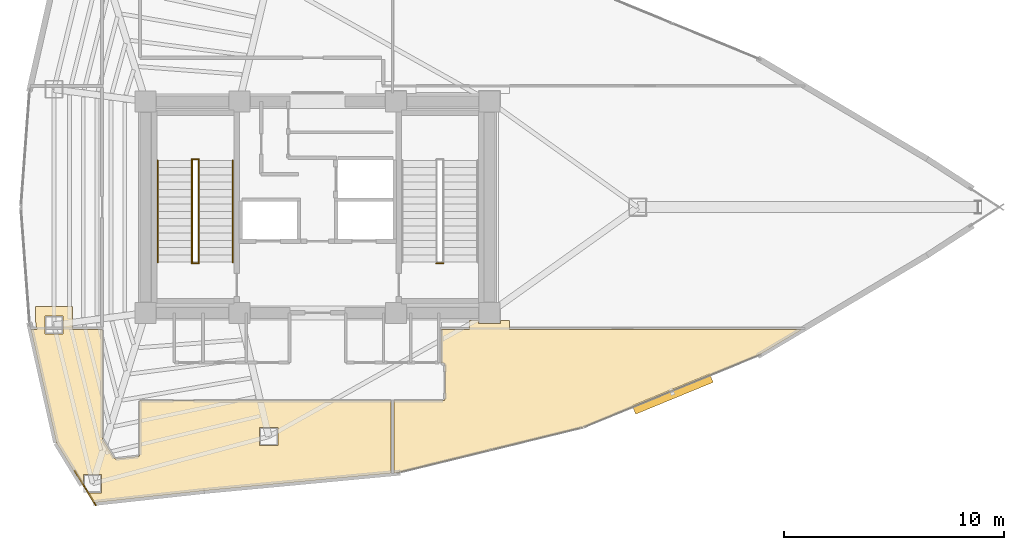
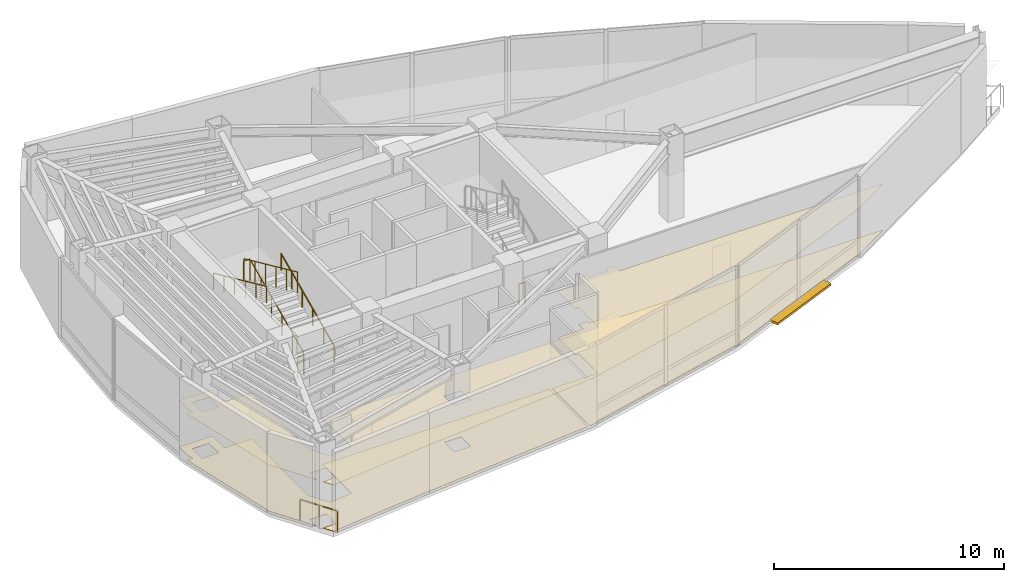
# One storey, part 16 of 17: 8 railings, 4 coverings, 1 shading device.
"""IFC4 building model written with IfcOpenShell, lengths in metres."""

from ifc_helpers import new_model, si_unit, direction, frame, origin, origin_2d, place, context, subcontext, project, spatial, polyline, rectangle, circle, outline, extrude, material, layer, layer_set, type_object, element, save


model = new_model("IFC4")

# Units and contexts
model_context = context("Model", 3, precision=1e-05, world=origin(), true_north=direction((0.0, 1.0)))
body_context = subcontext(model_context, "Body", "Model", "MODEL_VIEW")
ifc_project = project(units=[si_unit("LENGTHUNIT", "METRE"), si_unit("AREAUNIT", "SQUARE_METRE"), si_unit("VOLUMEUNIT", "CUBIC_METRE"), si_unit("PLANEANGLEUNIT", "RADIAN"), si_unit("MASSUNIT", "GRAM", prefix="KILO")], contexts=[model_context])

# Site, building, storey
site_placement = place(None, origin())
site = spatial("IfcSite", under=ifc_project, at=site_placement, CompositionType="ELEMENT")
building_placement = place(site_placement, origin())
building = spatial("IfcBuilding", under=site, at=building_placement, Name="Menara Vayukalpa", CompositionType="ELEMENT")
storey_placement = place(building_placement, frame((0.0, 0.0, 242.639892578125)))
storey = spatial("IfcBuildingStorey", under=building, at=storey_placement, Name="L61", CompositionType="ELEMENT", Elevation=242.639892578125)

# Coverings
ifc_material_1 = material(Name="Mineral Fibre Acoustic Ceiling Tile", Category="masonry")
ifc_layer_1 = layer(ifc_material_1, 0.02490234375)
ifc_layer_set_1 = layer_set([ifc_layer_1], Name="Mineral Fibre Acoustic Ceiling Tile")
covering_type_1 = type_object("IfcCoveringType", Name="COV-CLG1", PredefinedType="CEILING", material=ifc_layer_set_1)
covering_1_placement = place(storey_placement, frame((0.0, 0.0, 2.4501953125)))
element("IfcCovering", 1, at=covering_1_placement, inside=storey, type_object=covering_type_1, Name="L61 Skyline Exhibition Hall North Acoustic Ceiling", PredefinedType="CEILING", context=body_context, shape_type="SweptSolid", body=[
    extrude(outline(polyline([(15.427001953125, 8.587890625), (15.426025390625, 8.588134765625), (15.425048828125, 8.58837890625), (15.424072265625, 8.5888671875), (15.423095703125, 8.58935546875), (15.42236328125, 8.58984375), (15.42138671875, 8.59033203125), (15.420654296875, 8.591064453125), (15.420166015625, 8.591796875), (15.41943359375, 8.5927734375), (15.144775390625, 9.040283203125), (15.80419921875, 9.040283203125), (15.80419921875, 9.870361328125), (14.97412109375, 9.870361328125), (14.97412109375, 9.318359375), (13.752197265625, 11.30908203125), (13.751708984375, 11.31005859375), (13.751220703125, 11.31103515625), (13.7509765625, 11.31201171875), (12.599853515625, 16.427734375), (12.599853515625, 16.4287109375), (12.599609375, 16.4296875), (12.599609375, 16.430908203125), (12.599853515625, 16.431884765625), (12.60009765625, 16.4326171875), (12.600341796875, 16.43359375), (12.600830078125, 16.4345703125), (12.601318359375, 16.435302734375), (12.601806640625, 16.436279296875), (12.6025390625, 16.43701171875), (12.603271484375, 16.437744140625), (12.60400390625, 16.438232421875), (12.60498046875, 16.438720703125), (12.605712890625, 16.439208984375), (12.606689453125, 16.439697265625), (12.607666015625, 16.439697265625), (12.608642578125, 16.43994140625), (12.609619140625, 16.43994140625), (12.8740234375, 16.43994140625), (12.816650390625, 16.694580078125), (12.803955078125, 16.86376953125), (12.803955078125, 17.48828125), (14.47412109375, 17.48828125), (14.47412109375, 16.43994140625), (15.820068359375, 16.43994140625), (15.821044921875, 16.43994140625), (15.822021484375, 16.439697265625), (15.822998046875, 16.439697265625), (15.82373046875, 16.439208984375), (15.82470703125, 16.438720703125), (15.82568359375, 16.438232421875), (15.826416015625, 16.437744140625), (15.8271484375, 16.43701171875), (15.82763671875, 16.436279296875), (15.828369140625, 16.435546875), (15.828857421875, 16.434814453125), (15.8291015625, 16.433837890625), (15.82958984375, 16.432861328125), (15.829833984375, 16.431884765625), (15.830078125, 16.430908203125), (15.830078125, 16.429931640625), (15.830078125, 11.518798828125), (15.830322265625, 11.51220703125), (15.8310546875, 11.505615234375), (15.83251953125, 11.49951171875), (15.834716796875, 11.493408203125), (15.83740234375, 11.487548828125), (15.840576171875, 11.481689453125), (16.3740234375, 10.6123046875), (16.37841796875, 10.606201171875), (16.383056640625, 10.6005859375), (16.38818359375, 10.595703125), (16.393798828125, 10.59130859375), (16.39990234375, 10.587646484375), (16.406494140625, 10.58447265625), (16.4130859375, 10.581787109375), (16.419921875, 10.580078125), (16.42724609375, 10.5791015625), (16.43408203125, 10.57861328125), (16.441650390625, 10.5791015625), (17.46728515625, 10.6904296875), (17.474365234375, 10.691650390625), (17.48095703125, 10.693359375), (17.4873046875, 10.695556640625), (17.493408203125, 10.698486328125), (17.499267578125, 10.7021484375), (17.504638671875, 10.706298828125), (17.509765625, 10.7109375), (17.514404296875, 10.7158203125), (17.518310546875, 10.721435546875), (17.521728515625, 10.727294921875), (17.524658203125, 10.7333984375), (17.527099609375, 10.739990234375), (17.52880859375, 10.74658203125), (17.529541015625, 10.75341796875), (17.530029296875, 10.760498046875), (17.530029296875, 13.2099609375), (17.530029296875, 13.2109375), (17.5302734375, 13.2119140625), (17.530517578125, 13.212890625), (17.53076171875, 13.2138671875), (17.53125, 13.214599609375), (17.53173828125, 13.215576171875), (17.5322265625, 13.21630859375), (17.532958984375, 13.217041015625), (17.53369140625, 13.2177734375), (17.534423828125, 13.21826171875), (17.535400390625, 13.21875), (17.5361328125, 13.21923828125), (17.537109375, 13.219482421875), (17.5380859375, 13.2197265625), (17.5390625, 13.219970703125), (17.5400390625, 13.219970703125), (28.929931640625, 13.219970703125), (28.930908203125, 13.219970703125), (28.931884765625, 13.2197265625), (28.932861328125, 13.219482421875), (28.933837890625, 13.21923828125), (28.934814453125, 13.21875), (28.935546875, 13.21826171875), (28.936279296875, 13.2177734375), (28.93701171875, 13.217041015625), (28.937744140625, 13.21630859375), (28.938232421875, 13.215576171875), (28.938720703125, 13.214599609375), (28.939208984375, 13.2138671875), (28.939697265625, 13.212890625), (28.939697265625, 13.2119140625), (28.93994140625, 13.2109375), (28.93994140625, 13.2099609375), (28.93994140625, 9.940185546875), (28.93994140625, 9.939208984375), (28.939697265625, 9.93798828125), (28.939697265625, 9.937255859375), (28.939208984375, 9.936279296875), (28.938720703125, 9.935302734375), (28.938232421875, 9.9345703125), (28.937744140625, 9.93359375), (28.93701171875, 9.93310546875), (28.936279296875, 9.932373046875), (28.935546875, 9.931884765625), (28.934814453125, 9.931396484375), (28.933837890625, 9.930908203125), (28.932861328125, 9.930419921875), (28.931884765625, 9.930419921875), (28.930908203125, 9.93017578125), (20.443603515625, 9.1328125), (20.443115234375, 9.1328125), (15.42919921875, 8.588134765625), (15.427978515625, 8.587890625), (15.427001953125, 8.587890625)]), holes=[polyline([(14.053955078125, 17.068359375), (13.22412109375, 17.068359375), (13.22412109375, 16.23828125), (14.053955078125, 16.23828125), (14.053955078125, 17.068359375)]), polyline([(23.796875, 12.01025390625), (22.966796875, 12.01025390625), (22.966796875, 11.18017578125), (23.796875, 11.18017578125), (23.796875, 12.01025390625)])]), origin(), (0.0, 0.0, 1.0), 0.02490234375),
])
covering_2_placement = place(storey_placement, frame((0.0, 0.0, 2.4501953125)))
element("IfcCovering", 2, at=covering_2_placement, inside=storey, type_object=covering_type_1, Name="L61 Sky Lookout Panorama Lounge West Acoustic Ceiling", PredefinedType="CEILING", context=body_context, shape_type="SweptSolid", body=[
    extrude(outline(polyline([(37.652099609375, 12.017333984375), (29.249755859375, 9.960205078125), (29.248291015625, 9.9599609375), (29.07080078125, 9.943115234375), (29.070068359375, 9.943115234375), (29.069091796875, 9.943359375), (29.068115234375, 9.943359375), (29.067138671875, 9.943603515625), (29.066162109375, 9.944091796875), (29.065185546875, 9.9443359375), (29.064453125, 9.94482421875), (29.063720703125, 9.945556640625), (29.06298828125, 9.946044921875), (29.062255859375, 9.947021484375), (29.061767578125, 9.94775390625), (29.061279296875, 9.948486328125), (29.060791015625, 9.949462890625), (29.060302734375, 9.9501953125), (29.060302734375, 9.951416015625), (29.06005859375, 9.9521484375), (29.06005859375, 9.953125), (29.06005859375, 13.2099609375), (29.06005859375, 13.2109375), (29.060302734375, 13.2119140625), (29.060302734375, 13.212890625), (29.060791015625, 13.2138671875), (29.061279296875, 13.214599609375), (29.061767578125, 13.215576171875), (29.062255859375, 13.21630859375), (29.06298828125, 13.217041015625), (29.063720703125, 13.2177734375), (29.064453125, 13.21826171875), (29.065185546875, 13.21875), (29.066162109375, 13.21923828125), (29.067138671875, 13.219482421875), (29.068115234375, 13.2197265625), (29.069091796875, 13.219970703125), (29.070068359375, 13.219970703125), (31.2998046875, 13.219970703125), (31.306884765625, 13.220458984375), (31.313720703125, 13.22119140625), (31.3203125, 13.222900390625), (31.326904296875, 13.225341796875), (31.3330078125, 13.228271484375), (31.3388671875, 13.231689453125), (31.344482421875, 13.236083984375), (31.349609375, 13.240478515625), (31.35400390625, 13.24560546875), (31.358154296875, 13.251220703125), (31.36181640625, 13.257080078125), (31.36474609375, 13.26318359375), (31.366943359375, 13.269775390625), (31.36865234375, 13.2763671875), (31.36962890625, 13.283203125), (31.3701171875, 13.290283203125), (31.3701171875, 14.849609375), (31.36962890625, 14.856689453125), (31.36865234375, 14.86376953125), (31.366943359375, 14.870361328125), (31.36474609375, 14.876708984375), (31.36181640625, 14.883056640625), (31.358154296875, 14.888916015625), (31.35400390625, 14.89453125), (31.349609375, 14.8994140625), (31.344482421875, 14.904052734375), (31.3388671875, 14.908203125), (31.3330078125, 14.911865234375), (31.326904296875, 14.914794921875), (31.3203125, 14.9169921875), (31.313720703125, 14.918701171875), (31.306884765625, 14.919677734375), (31.2998046875, 14.919921875), (31.219970703125, 14.919921875), (31.218994140625, 14.919921875), (31.218017578125, 14.920166015625), (31.217041015625, 14.92041015625), (31.21630859375, 14.9208984375), (31.21533203125, 14.921142578125), (31.21435546875, 14.921630859375), (31.213623046875, 14.92236328125), (31.212890625, 14.9228515625), (31.21240234375, 14.923583984375), (31.211669921875, 14.92431640625), (31.211181640625, 14.92529296875), (31.210693359375, 14.92626953125), (31.21044921875, 14.927001953125), (31.210205078125, 14.927978515625), (31.2099609375, 14.928955078125), (31.2099609375, 14.929931640625), (31.2099609375, 16.429931640625), (31.2099609375, 16.430908203125), (31.210205078125, 16.431884765625), (31.21044921875, 16.432861328125), (31.210693359375, 16.433837890625), (31.211181640625, 16.434814453125), (31.211669921875, 16.435546875), (31.21240234375, 16.436279296875), (31.212890625, 16.43701171875), (31.213623046875, 16.437744140625), (31.21435546875, 16.438232421875), (31.21533203125, 16.438720703125), (31.21630859375, 16.439208984375), (31.217041015625, 16.439697265625), (31.218017578125, 16.439697265625), (31.218994140625, 16.43994140625), (31.219970703125, 16.43994140625), (32.489990234375, 16.43994140625), (32.489990234375, 16.85009765625), (32.909912109375, 16.85009765625), (32.909912109375, 16.7099609375), (33.889892578125, 16.7099609375), (33.889892578125, 16.85009765625), (34.31005859375, 16.85009765625), (34.31005859375, 16.43994140625), (47.52783203125, 16.43994140625), (47.52880859375, 16.43994140625), (47.52978515625, 16.439697265625), (47.53076171875, 16.439697265625), (47.531494140625, 16.439208984375), (47.532470703125, 16.43896484375), (47.533203125, 16.4384765625), (47.5341796875, 16.437744140625), (47.534912109375, 16.437255859375), (47.535400390625, 16.4365234375), (47.535888671875, 16.435791015625), (47.53662109375, 16.434814453125), (47.537109375, 16.43408203125), (47.537353515625, 16.43310546875), (47.53759765625, 16.43212890625), (47.53759765625, 16.43115234375), (47.537841796875, 16.430419921875), (47.537841796875, 16.42919921875), (47.53759765625, 16.42822265625), (47.53759765625, 16.427490234375), (47.537109375, 16.426513671875), (47.536865234375, 16.425537109375), (47.536376953125, 16.4248046875), (47.535888671875, 16.424072265625), (47.53515625, 16.423095703125), (47.534423828125, 16.422607421875), (47.53369140625, 16.421875), (47.532958984375, 16.42138671875), (45.656494140625, 15.305908203125), (45.655029296875, 15.305419921875), (37.653564453125, 12.017822265625), (37.65283203125, 12.017578125), (37.652099609375, 12.017333984375)])), origin(), (0.0, 0.0, 1.0), 0.02490234375),
])
ifc_material_2 = material(Name="Porcelain Stoneware Floor Tile", Category="masonry")
ifc_layer_2 = layer(ifc_material_2, 0.02001953125)
ifc_layer_set_2 = layer_set([ifc_layer_2], Name="Porcelain Stoneware Floor Tile")
covering_type_2 = type_object("IfcCoveringType", Name="COV-FLR1", PredefinedType="FLOORING", material=ifc_layer_set_2)
covering_3_placement = place(storey_placement, origin())
element("IfcCovering", 3, at=covering_3_placement, inside=storey, type_object=covering_type_2, Name="L61 Skyline Exhibition Hall North Porcelain Flooring", PredefinedType="FLOORING", context=body_context, shape_type="SweptSolid", body=[
    extrude(outline(polyline([(15.427001953125, 8.587890625), (15.426025390625, 8.588134765625), (15.425048828125, 8.58837890625), (15.424072265625, 8.5888671875), (15.423095703125, 8.58935546875), (15.42236328125, 8.58984375), (15.42138671875, 8.59033203125), (15.420654296875, 8.591064453125), (15.420166015625, 8.591796875), (15.41943359375, 8.5927734375), (15.144775390625, 9.040283203125), (15.80419921875, 9.040283203125), (15.80419921875, 9.870361328125), (14.97412109375, 9.870361328125), (14.97412109375, 9.318359375), (13.752197265625, 11.30908203125), (13.751708984375, 11.31005859375), (13.751220703125, 11.31103515625), (13.7509765625, 11.31201171875), (12.599853515625, 16.427734375), (12.599853515625, 16.4287109375), (12.599609375, 16.4296875), (12.599609375, 16.430908203125), (12.599853515625, 16.431884765625), (12.60009765625, 16.4326171875), (12.600341796875, 16.43359375), (12.600830078125, 16.4345703125), (12.601318359375, 16.435302734375), (12.601806640625, 16.436279296875), (12.6025390625, 16.43701171875), (12.603271484375, 16.437744140625), (12.60400390625, 16.438232421875), (12.60498046875, 16.438720703125), (12.605712890625, 16.439208984375), (12.606689453125, 16.439697265625), (12.607666015625, 16.439697265625), (12.608642578125, 16.43994140625), (12.609619140625, 16.43994140625), (12.8740234375, 16.43994140625), (12.816650390625, 16.694580078125), (12.803955078125, 16.86376953125), (12.803955078125, 17.48828125), (14.47412109375, 17.48828125), (14.47412109375, 16.43994140625), (15.820068359375, 16.43994140625), (15.821044921875, 16.43994140625), (15.822021484375, 16.439697265625), (15.822998046875, 16.439697265625), (15.82373046875, 16.439208984375), (15.82470703125, 16.438720703125), (15.82568359375, 16.438232421875), (15.826416015625, 16.437744140625), (15.8271484375, 16.43701171875), (15.82763671875, 16.436279296875), (15.828369140625, 16.435546875), (15.828857421875, 16.434814453125), (15.8291015625, 16.433837890625), (15.82958984375, 16.432861328125), (15.829833984375, 16.431884765625), (15.830078125, 16.430908203125), (15.830078125, 16.429931640625), (15.830078125, 11.518798828125), (15.830322265625, 11.51220703125), (15.8310546875, 11.505615234375), (15.83251953125, 11.49951171875), (15.834716796875, 11.493408203125), (15.83740234375, 11.487548828125), (15.840576171875, 11.481689453125), (16.3740234375, 10.6123046875), (16.37841796875, 10.606201171875), (16.383056640625, 10.6005859375), (16.38818359375, 10.595703125), (16.393798828125, 10.59130859375), (16.39990234375, 10.587646484375), (16.406494140625, 10.58447265625), (16.4130859375, 10.581787109375), (16.419921875, 10.580078125), (16.42724609375, 10.5791015625), (16.43408203125, 10.57861328125), (16.441650390625, 10.5791015625), (17.46728515625, 10.6904296875), (17.474365234375, 10.691650390625), (17.48095703125, 10.693359375), (17.4873046875, 10.695556640625), (17.493408203125, 10.698486328125), (17.499267578125, 10.7021484375), (17.504638671875, 10.706298828125), (17.509765625, 10.7109375), (17.514404296875, 10.7158203125), (17.518310546875, 10.721435546875), (17.521728515625, 10.727294921875), (17.524658203125, 10.7333984375), (17.527099609375, 10.739990234375), (17.52880859375, 10.74658203125), (17.529541015625, 10.75341796875), (17.530029296875, 10.760498046875), (17.530029296875, 13.2099609375), (17.530029296875, 13.2109375), (17.5302734375, 13.2119140625), (17.530517578125, 13.212890625), (17.53076171875, 13.2138671875), (17.53125, 13.214599609375), (17.53173828125, 13.215576171875), (17.5322265625, 13.21630859375), (17.532958984375, 13.217041015625), (17.53369140625, 13.2177734375), (17.534423828125, 13.21826171875), (17.535400390625, 13.21875), (17.5361328125, 13.21923828125), (17.537109375, 13.219482421875), (17.5380859375, 13.2197265625), (17.5390625, 13.219970703125), (17.5400390625, 13.219970703125), (28.929931640625, 13.219970703125), (28.930908203125, 13.219970703125), (28.931884765625, 13.2197265625), (28.932861328125, 13.219482421875), (28.933837890625, 13.21923828125), (28.934814453125, 13.21875), (28.935546875, 13.21826171875), (28.936279296875, 13.2177734375), (28.93701171875, 13.217041015625), (28.937744140625, 13.21630859375), (28.938232421875, 13.215576171875), (28.938720703125, 13.214599609375), (28.939208984375, 13.2138671875), (28.939697265625, 13.212890625), (28.939697265625, 13.2119140625), (28.93994140625, 13.2109375), (28.93994140625, 13.2099609375), (28.93994140625, 9.940185546875), (28.93994140625, 9.939208984375), (28.939697265625, 9.93798828125), (28.939697265625, 9.937255859375), (28.939208984375, 9.936279296875), (28.938720703125, 9.935302734375), (28.938232421875, 9.9345703125), (28.937744140625, 9.93359375), (28.93701171875, 9.93310546875), (28.936279296875, 9.932373046875), (28.935546875, 9.931884765625), (28.934814453125, 9.931396484375), (28.933837890625, 9.930908203125), (28.932861328125, 9.930419921875), (28.931884765625, 9.930419921875), (28.930908203125, 9.93017578125), (20.443603515625, 9.1328125), (20.443115234375, 9.1328125), (15.42919921875, 8.588134765625), (15.427978515625, 8.587890625), (15.427001953125, 8.587890625)]), holes=[polyline([(14.053955078125, 17.068359375), (13.22412109375, 17.068359375), (13.22412109375, 16.23828125), (14.053955078125, 16.23828125), (14.053955078125, 17.068359375)]), polyline([(23.796875, 12.01025390625), (22.966796875, 12.01025390625), (22.966796875, 11.18017578125), (23.796875, 11.18017578125), (23.796875, 12.01025390625)])]), origin(), (0.0, 0.0, 1.0), 0.02001953125),
])
covering_4_placement = place(storey_placement, origin())
element("IfcCovering", 4, at=covering_4_placement, inside=storey, type_object=covering_type_2, Name="L61 Sky Lookout Panorama Lounge West Porcelain Flooring", PredefinedType="FLOORING", context=body_context, shape_type="SweptSolid", body=[
    extrude(outline(polyline([(37.652099609375, 12.017333984375), (29.249755859375, 9.960205078125), (29.248291015625, 9.9599609375), (29.07080078125, 9.943115234375), (29.070068359375, 9.943115234375), (29.069091796875, 9.943359375), (29.068115234375, 9.943359375), (29.067138671875, 9.943603515625), (29.066162109375, 9.944091796875), (29.065185546875, 9.9443359375), (29.064453125, 9.94482421875), (29.063720703125, 9.945556640625), (29.06298828125, 9.946044921875), (29.062255859375, 9.947021484375), (29.061767578125, 9.94775390625), (29.061279296875, 9.948486328125), (29.060791015625, 9.949462890625), (29.060302734375, 9.9501953125), (29.060302734375, 9.951416015625), (29.06005859375, 9.9521484375), (29.06005859375, 9.953125), (29.06005859375, 13.2099609375), (29.06005859375, 13.2109375), (29.060302734375, 13.2119140625), (29.060302734375, 13.212890625), (29.060791015625, 13.2138671875), (29.061279296875, 13.214599609375), (29.061767578125, 13.215576171875), (29.062255859375, 13.21630859375), (29.06298828125, 13.217041015625), (29.063720703125, 13.2177734375), (29.064453125, 13.21826171875), (29.065185546875, 13.21875), (29.066162109375, 13.21923828125), (29.067138671875, 13.219482421875), (29.068115234375, 13.2197265625), (29.069091796875, 13.219970703125), (29.070068359375, 13.219970703125), (31.2998046875, 13.219970703125), (31.306884765625, 13.220458984375), (31.313720703125, 13.22119140625), (31.3203125, 13.222900390625), (31.326904296875, 13.225341796875), (31.3330078125, 13.228271484375), (31.3388671875, 13.231689453125), (31.344482421875, 13.236083984375), (31.349609375, 13.240478515625), (31.35400390625, 13.24560546875), (31.358154296875, 13.251220703125), (31.36181640625, 13.257080078125), (31.36474609375, 13.26318359375), (31.366943359375, 13.269775390625), (31.36865234375, 13.2763671875), (31.36962890625, 13.283203125), (31.3701171875, 13.290283203125), (31.3701171875, 14.849609375), (31.36962890625, 14.856689453125), (31.36865234375, 14.86376953125), (31.366943359375, 14.870361328125), (31.36474609375, 14.876708984375), (31.36181640625, 14.883056640625), (31.358154296875, 14.888916015625), (31.35400390625, 14.89453125), (31.349609375, 14.8994140625), (31.344482421875, 14.904052734375), (31.3388671875, 14.908203125), (31.3330078125, 14.911865234375), (31.326904296875, 14.914794921875), (31.3203125, 14.9169921875), (31.313720703125, 14.918701171875), (31.306884765625, 14.919677734375), (31.2998046875, 14.919921875), (31.219970703125, 14.919921875), (31.218994140625, 14.919921875), (31.218017578125, 14.920166015625), (31.217041015625, 14.92041015625), (31.21630859375, 14.9208984375), (31.21533203125, 14.921142578125), (31.21435546875, 14.921630859375), (31.213623046875, 14.92236328125), (31.212890625, 14.9228515625), (31.21240234375, 14.923583984375), (31.211669921875, 14.92431640625), (31.211181640625, 14.92529296875), (31.210693359375, 14.92626953125), (31.21044921875, 14.927001953125), (31.210205078125, 14.927978515625), (31.2099609375, 14.928955078125), (31.2099609375, 14.929931640625), (31.2099609375, 16.429931640625), (31.2099609375, 16.430908203125), (31.210205078125, 16.431884765625), (31.21044921875, 16.432861328125), (31.210693359375, 16.433837890625), (31.211181640625, 16.434814453125), (31.211669921875, 16.435546875), (31.21240234375, 16.436279296875), (31.212890625, 16.43701171875), (31.213623046875, 16.437744140625), (31.21435546875, 16.438232421875), (31.21533203125, 16.438720703125), (31.21630859375, 16.439208984375), (31.217041015625, 16.439697265625), (31.218017578125, 16.439697265625), (31.218994140625, 16.43994140625), (31.219970703125, 16.43994140625), (32.489990234375, 16.43994140625), (32.489990234375, 16.85009765625), (32.909912109375, 16.85009765625), (32.909912109375, 16.7099609375), (33.889892578125, 16.7099609375), (33.889892578125, 16.85009765625), (34.31005859375, 16.85009765625), (34.31005859375, 16.43994140625), (47.52783203125, 16.43994140625), (47.52880859375, 16.43994140625), (47.52978515625, 16.439697265625), (47.53076171875, 16.439697265625), (47.531494140625, 16.439208984375), (47.532470703125, 16.43896484375), (47.533203125, 16.4384765625), (47.5341796875, 16.437744140625), (47.534912109375, 16.437255859375), (47.535400390625, 16.4365234375), (47.535888671875, 16.435791015625), (47.53662109375, 16.434814453125), (47.537109375, 16.43408203125), (47.537353515625, 16.43310546875), (47.53759765625, 16.43212890625), (47.53759765625, 16.43115234375), (47.537841796875, 16.430419921875), (47.537841796875, 16.42919921875), (47.53759765625, 16.42822265625), (47.53759765625, 16.427490234375), (47.537109375, 16.426513671875), (47.536865234375, 16.425537109375), (47.536376953125, 16.4248046875), (47.535888671875, 16.424072265625), (47.53515625, 16.423095703125), (47.534423828125, 16.422607421875), (47.53369140625, 16.421875), (47.532958984375, 16.42138671875), (45.656494140625, 15.305908203125), (45.655029296875, 15.305419921875), (37.653564453125, 12.017822265625), (37.65283203125, 12.017578125), (37.652099609375, 12.017333984375)])), origin(), (0.0, 0.0, 1.0), 0.02001953125),
])

# Railings
ifc_material_3 = material(Name="Laminated Glass and Stainless Steel 316 Guardrail", Category="steel")
railing_type_1 = type_object("IfcRailingType", Name="RLG-EXT115", PredefinedType="GUARDRAIL", material=ifc_material_3)
railing_1_placement = place(storey_placement, frame((14.579345703125, 10.037841796875, 0.0)))
element("IfcRailing", 5, at=railing_1_placement, inside=storey, type_object=railing_type_1, Name="L61 Column Corner Spandrel Guardrail 13-1", PredefinedType="GUARDRAIL", context=body_context, shape_type="SweptSolid", body=[
    extrude(circle(Radius=0.02392578125, at=origin_2d()), frame((0.0, 0.0, 1.1259765625), z_axis=(0.523171747284, -0.852227271826, 0.0), x_axis=(0.852227271826, 0.523171747284, 0.0)), (0.0, 0.0, 1.0), 1.840087890625),
    extrude(circle(Radius=0.02099609375, at=origin_2d()), origin(), (0.0, 0.0, 1.0), 1.101806640625),
    extrude(circle(Radius=0.02099609375, at=origin_2d()), frame((0.4814453125, -0.7841796875, 0.0)), (0.0, 0.0, 1.0), 1.101806640625),
    extrude(circle(Radius=0.02099609375, at=origin_2d()), frame((0.962646484375, -1.568115234375, 0.0)), (0.0, 0.0, 1.0), 1.101806640625),
])
ifc_material_4 = material(Name="Powder-Coated Galvanised Steel Guardrail", Category="steel")
railing_type_2 = type_object("IfcRailingType", Name="RLG-STG110", PredefinedType="GUARDRAIL", material=ifc_material_4)
railing_2_placement = place(storey_placement, frame((20.199951171875, 19.5, 0.150146484375)))
element("IfcRailing", 6, at=railing_2_placement, inside=storey, type_object=railing_type_2, Name="L61 ST-1 stair guard 1", PredefinedType="GUARDRAIL", context=body_context, shape_type="SweptSolid", body=[
    extrude(circle(Radius=0.02392578125, at=origin_2d()), frame((0.0, 0.0, 1.09619140625), z_axis=(0.0, 0.91038130445, 0.413770323377), x_axis=(-1.0, 0.0, 0.0)), (0.0, 0.0, 1.0), 5.074951171875),
    extrude(circle(Radius=0.02099609375, at=origin_2d()), origin(), (0.0, 0.0, 1.0), 1.072021484375),
    extrude(circle(Radius=0.02099609375, at=origin_2d()), frame((0.0, 0.924072265625, 0.419921875)), (0.0, 0.0, 1.0), 1.072021484375),
    extrude(circle(Radius=0.02099609375, at=origin_2d()), frame((0.0, 1.84814453125, 0.83984375)), (0.0, 0.0, 1.0), 1.072021484375),
    extrude(circle(Radius=0.02099609375, at=origin_2d()), frame((0.0, 2.77197265625, 1.260009765625)), (0.0, 0.0, 1.0), 1.072021484375),
    extrude(circle(Radius=0.02099609375, at=origin_2d()), frame((0.0, 3.696044921875, 1.679931640625)), (0.0, 0.0, 1.0), 1.072021484375),
    extrude(circle(Radius=0.02099609375, at=origin_2d()), frame((0.0, 4.6201171875, 2.099853515625)), (0.0, 0.0, 1.0), 1.072021484375),
])
railing_3_placement = place(storey_placement, frame((20.2099609375, 24.169921875, 2.25)))
element("IfcRailing", 7, at=railing_3_placement, inside=storey, type_object=railing_type_2, Name="L61 ST-1 stair guard 2", PredefinedType="GUARDRAIL", context=body_context, shape_type="SweptSolid", body=[
    extrude(circle(Radius=0.02392578125, at=origin_2d()), frame((0.0, 0.0, 1.09619140625), z_axis=(-1.0, 0.0, 0.0), x_axis=(0.0, -1.0, 0.0)), (0.0, 0.0, 1.0), 0.320068359375),
    extrude(circle(Radius=0.02099609375, at=origin_2d()), origin(), (0.0, 0.0, 1.0), 1.072021484375),
    extrude(circle(Radius=0.02099609375, at=origin_2d()), frame((-0.320068359375, 0.0, 0.0)), (0.0, 0.0, 1.0), 1.072021484375),
])
railing_4_placement = place(storey_placement, frame((19.89990234375, 24.1201171875, 2.400146484375)))
element("IfcRailing", 8, at=railing_4_placement, inside=storey, type_object=railing_type_2, Name="L61 ST-1 stair guard 3", PredefinedType="GUARDRAIL", context=body_context, shape_type="SweptSolid", body=[
    extrude(circle(Radius=0.02392578125, at=origin_2d()), frame((0.0, 0.0, 1.09619140625), z_axis=(0.0, -0.91038130445, 0.413770323377), x_axis=(1.0, 0.0, 0.0)), (0.0, 0.0, 1.0), 5.074951171875),
    extrude(circle(Radius=0.02099609375, at=origin_2d()), origin(), (0.0, 0.0, 1.0), 1.072021484375),
    extrude(circle(Radius=0.02099609375, at=origin_2d()), frame((0.0, -0.924072265625, 0.419921875)), (0.0, 0.0, 1.0), 1.072021484375),
    extrude(circle(Radius=0.02099609375, at=origin_2d()), frame((0.0, -1.84814453125, 0.83984375)), (0.0, 0.0, 1.0), 1.072021484375),
    extrude(circle(Radius=0.02099609375, at=origin_2d()), frame((0.0, -2.77197265625, 1.260009765625)), (0.0, 0.0, 1.0), 1.072021484375),
    extrude(circle(Radius=0.02099609375, at=origin_2d()), frame((0.0, -3.696044921875, 1.679931640625)), (0.0, 0.0, 1.0), 1.072021484375),
    extrude(circle(Radius=0.02099609375, at=origin_2d()), frame((0.0, -4.6201171875, 2.099853515625)), (0.0, 0.0, 1.0), 1.072021484375),
])
for number, where, name in (
    (9, (20.2099609375, 19.449951171875, 0.0), "L61 ST-1 stair guard 4"),
    (10, (31.31005859375, 19.449951171875, 0.0), "L61 ST-2 stair guard 4"),
):
    element("IfcRailing", number, at=place(storey_placement, frame(where)), inside=storey, type_object=railing_type_2, Name=name, PredefinedType="GUARDRAIL", context=body_context, shape_type="SweptSolid", body=[
        extrude(circle(Radius=0.02392578125, at=origin_2d()), frame((0.0, 0.0, 1.09619140625), z_axis=(-1.0, 0.0, 0.0), x_axis=(0.0, -1.0, 0.0)), (0.0, 0.0, 1.0), 0.320068359375),
        extrude(circle(Radius=0.02099609375, at=origin_2d()), origin(), (0.0, 0.0, 1.0), 1.072021484375),
        extrude(circle(Radius=0.02099609375, at=origin_2d()), frame((-0.320068359375, 0.0, 0.0)), (0.0, 0.0, 1.0), 1.072021484375),
    ])
ifc_material_5 = material(Name="Stainless Steel 316 Tubular Handrail", Category="steel")
railing_type_3 = type_object("IfcRailingType", Name="RLG-STH090", PredefinedType="HANDRAIL", material=ifc_material_5)
railing_5_placement = place(storey_placement, frame((21.75, 19.5, 0.150146484375)))
element("IfcRailing", 11, at=railing_5_placement, inside=storey, type_object=railing_type_3, Name="L61 ST-1 stair handrail 1", PredefinedType="HANDRAIL", context=body_context, shape_type="SweptSolid", body=[
    extrude(circle(Radius=0.02392578125, at=origin_2d()), frame((0.0, 0.0, 0.8759765625), z_axis=(0.0, 0.91038130445, 0.413770323377), x_axis=(-1.0, 0.0, 0.0)), (0.0, 0.0, 1.0), 5.074951171875),
    extrude(circle(Radius=0.02099609375, at=origin_2d()), origin(), (0.0, 0.0, 1.0), 0.851806640625),
    extrude(circle(Radius=0.02099609375, at=origin_2d()), frame((0.0, 0.924072265625, 0.419921875)), (0.0, 0.0, 1.0), 0.851806640625),
    extrude(circle(Radius=0.02099609375, at=origin_2d()), frame((0.0, 1.84814453125, 0.83984375)), (0.0, 0.0, 1.0), 0.851806640625),
    extrude(circle(Radius=0.02099609375, at=origin_2d()), frame((0.0, 2.77197265625, 1.260009765625)), (0.0, 0.0, 1.0), 0.851806640625),
    extrude(circle(Radius=0.02099609375, at=origin_2d()), frame((0.0, 3.696044921875, 1.679931640625)), (0.0, 0.0, 1.0), 0.851806640625),
    extrude(circle(Radius=0.02099609375, at=origin_2d()), frame((0.0, 4.6201171875, 2.099853515625)), (0.0, 0.0, 1.0), 0.851806640625),
])
railing_6_placement = place(storey_placement, frame((18.35009765625, 24.1201171875, 2.400146484375)))
element("IfcRailing", 12, at=railing_6_placement, inside=storey, type_object=railing_type_3, Name="L61 ST-1 stair handrail 2", PredefinedType="HANDRAIL", context=body_context, shape_type="SweptSolid", body=[
    extrude(circle(Radius=0.02392578125, at=origin_2d()), frame((0.0, 0.0, 0.8759765625), z_axis=(0.0, -0.91038130445, 0.413770323377), x_axis=(1.0, 0.0, 0.0)), (0.0, 0.0, 1.0), 5.074951171875),
    extrude(circle(Radius=0.02099609375, at=origin_2d()), origin(), (0.0, 0.0, 1.0), 0.851806640625),
    extrude(circle(Radius=0.02099609375, at=origin_2d()), frame((0.0, -0.924072265625, 0.419921875)), (0.0, 0.0, 1.0), 0.851806640625),
    extrude(circle(Radius=0.02099609375, at=origin_2d()), frame((0.0, -1.84814453125, 0.83984375)), (0.0, 0.0, 1.0), 0.851806640625),
    extrude(circle(Radius=0.02099609375, at=origin_2d()), frame((0.0, -2.77197265625, 1.260009765625)), (0.0, 0.0, 1.0), 0.851806640625),
    extrude(circle(Radius=0.02099609375, at=origin_2d()), frame((0.0, -3.696044921875, 1.679931640625)), (0.0, 0.0, 1.0), 0.851806640625),
    extrude(circle(Radius=0.02099609375, at=origin_2d()), frame((0.0, -4.6201171875, 2.099853515625)), (0.0, 0.0, 1.0), 0.851806640625),
])

# Shading device
ifc_material_6 = material(Name="Glazed Terracotta Ceramic Baguette Extrusion", Category="masonry")
ifc_layer_3 = layer(ifc_material_6, 0.1201171875)
ifc_layer_set_3 = layer_set([ifc_layer_3], Name="Glazed Terracotta Ceramic Baguette Extrusion")
shading_device_type = type_object("IfcShadingDeviceType", Name="SHD-SS1", PredefinedType="USERDEFINED", material=ifc_layer_set_3)
shading_device_placement = place(storey_placement, frame((41.71142578125, 13.52294921875, -0.099853515625), z_axis=(0.0, 0.0, 1.0), x_axis=(0.924971116436, 0.380037411, 0.0)))
element("IfcShadingDevice", 13, at=shading_device_placement, inside=storey, type_object=shading_device_type, Name="L61 Horizontal Terracotta Sunshade Band 17", ObjectType="SUNSHADE", PredefinedType="USERDEFINED", context=body_context, shape_type="SweptSolid", body=[
    extrude(rectangle(XDim=3.800048828125, YDim=0.419921875, at=origin_2d()), origin(), (0.0, 0.0, 1.0), 0.1201171875),
])

save(model, "model.ifc")
